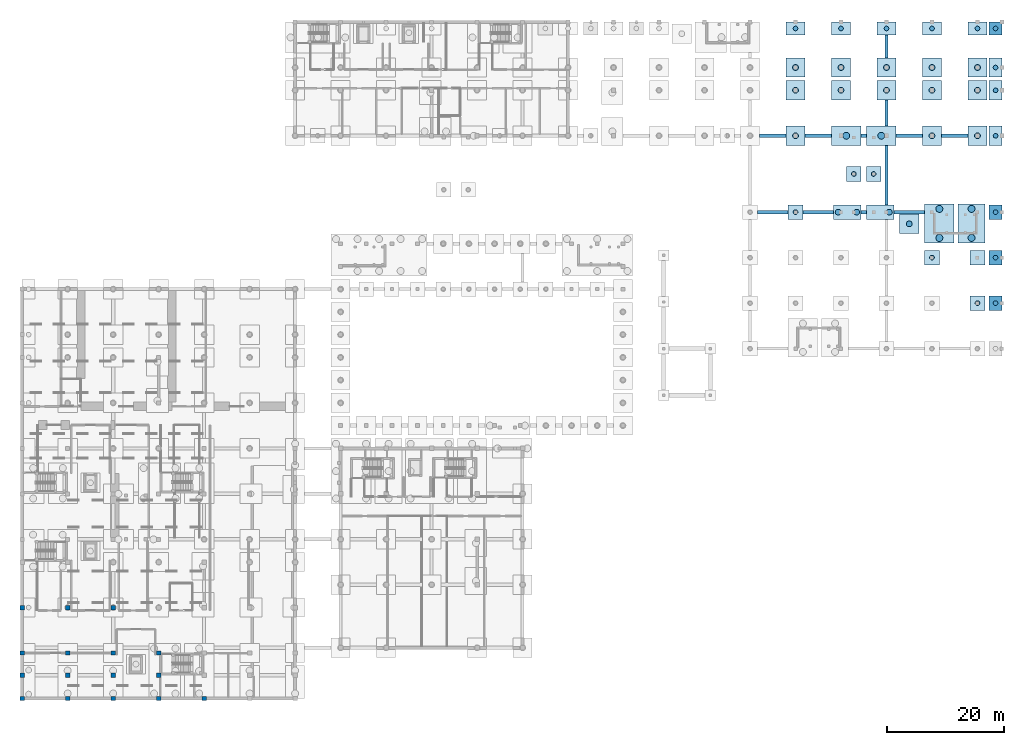
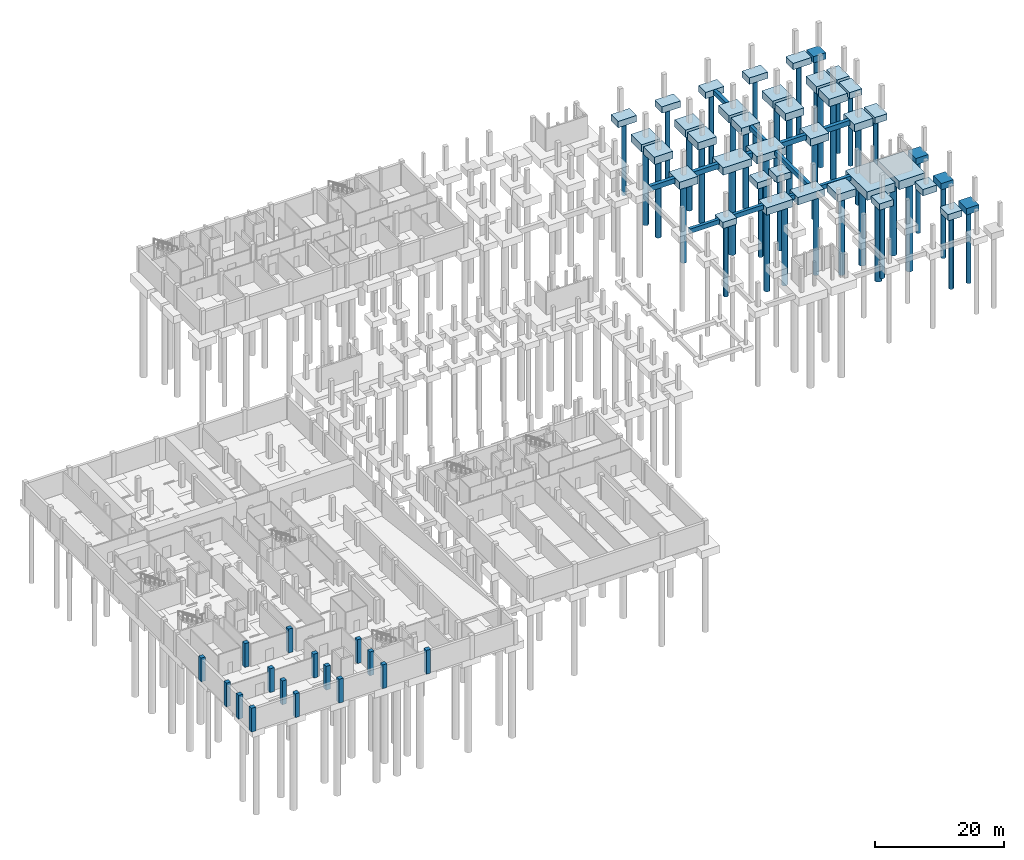
# One storey, part 5 of 24: 50 footings, 40 piles, 16 columns.
"""IFC4 building model written with IfcOpenShell, lengths in metres."""

from ifc_helpers import new_model, si_unit, direction, frame, origin, origin_2d, place, context, subcontext, project, spatial, rectangle, circle, extrude, material, material_profile, profile_set, type_object, element, save


model = new_model("IFC4")

# Units and contexts
model_context = context("Model", 3, precision=1e-05, world=origin(), true_north=direction((0.0, 1.0)))
body_context = subcontext(model_context, "Body", "Model", "MODEL_VIEW")
ifc_project = project(units=[si_unit("LENGTHUNIT", "METRE"), si_unit("AREAUNIT", "SQUARE_METRE"), si_unit("VOLUMEUNIT", "CUBIC_METRE"), si_unit("PLANEANGLEUNIT", "RADIAN"), si_unit("MASSUNIT", "GRAM", prefix="KILO")], contexts=[model_context])

# Site, building, storey
site_placement = place(None, origin())
site = spatial("IfcSite", under=ifc_project, at=site_placement, CompositionType="ELEMENT")
building_placement = place(site_placement, origin())
building = spatial("IfcBuilding", under=site, at=building_placement, Name="Celorna Specialist Clinic", CompositionType="ELEMENT")
storey_placement = place(building_placement, frame((0.0, 0.0, -4.5)))
storey = spatial("IfcBuildingStorey", under=building, at=storey_placement, Name="B01", CompositionType="ELEMENT", Elevation=-4.5)

# Footings
ifc_material_1 = material(Name="Concrete C35/45", Category="concrete")
footing_type_1 = type_object("IfcFootingType", Name="FB-01", PredefinedType="FOOTING_BEAM", material=ifc_material_1)
for number, where, z_axis, x_axis, name in (
    (1, (128.699951171875, 83.39990234375, -0.85009765625), (0.0, 0.0, 1.0), (1.0, 0.0, 0.0), "Foundation tie beam FB-01 #79"),
    (2, (136.5, 83.39990234375, -0.85009765625), (0.0, 0.0, 1.0), (1.0, 0.0, 0.0), "Foundation tie beam FB-01 #80"),
):
    element("IfcFooting", number, at=place(storey_placement, frame(where, z_axis=z_axis, x_axis=x_axis)), inside=storey, type_object=footing_type_1, Name=name, PredefinedType="FOOTING_BEAM", context=body_context, shape_type="SweptSolid", body=[
        extrude(rectangle(XDim=5.300048828125, YDim=0.550048828125, at=origin_2d()), origin(), (0.0, 0.0, 1.0), 0.85009765625),
    ])
footing_1_placement = place(storey_placement, frame((144.300048828125, 83.39990234375, -0.85009765625), z_axis=(0.0, 0.0, 1.0), x_axis=(1.0, 0.0, 0.0)))
element("IfcFooting", 3, at=footing_1_placement, inside=storey, type_object=footing_type_1, Name="Foundation tie beam FB-01 #81", PredefinedType="FOOTING_BEAM", context=body_context, shape_type="SweptSolid", body=[
    extrude(rectangle(XDim=0.89990234375, YDim=0.550048828125, at=origin_2d()), origin(), (0.0, 0.0, 1.0), 0.85009765625),
])
footing_2_placement = place(storey_placement, frame((152.10009765625, 83.39990234375, -0.85009765625), z_axis=(0.0, 0.0, 1.0), x_axis=(1.0, 0.0, 0.0)))
element("IfcFooting", 4, at=footing_2_placement, inside=storey, type_object=footing_type_1, Name="Foundation tie beam FB-01 #82", PredefinedType="FOOTING_BEAM", context=body_context, shape_type="SweptSolid", body=[
    extrude(rectangle(XDim=5.300048828125, YDim=0.550048828125, at=origin_2d()), origin(), (0.0, 0.0, 1.0), 0.85009765625),
])
footing_3_placement = place(storey_placement, frame((148.199951171875, 89.75, -0.85009765625), z_axis=(0.0, 0.0, 1.0), x_axis=(0.0, 1.0, 0.0)))
element("IfcFooting", 5, at=footing_3_placement, inside=storey, type_object=footing_type_1, Name="Foundation tie beam FB-01 #149", PredefinedType="FOOTING_BEAM", context=body_context, shape_type="SweptSolid", body=[
    extrude(rectangle(XDim=10.199951171875, YDim=0.550048828125, at=origin_2d()), origin(), (0.0, 0.0, 1.0), 0.85009765625),
])
footing_4_placement = place(storey_placement, frame((148.199951171875, 100.39990234375, -0.85009765625), z_axis=(0.0, 0.0, 1.0), x_axis=(0.0, 1.0, 0.0)))
element("IfcFooting", 6, at=footing_4_placement, inside=storey, type_object=footing_type_1, Name="Foundation tie beam FB-01 #150", PredefinedType="FOOTING_BEAM", context=body_context, shape_type="SweptSolid", body=[
    extrude(rectangle(XDim=4.5, YDim=0.550048828125, at=origin_2d()), origin(), (0.0, 0.0, 1.0), 0.85009765625),
])
footing_5_placement = place(storey_placement, frame((148.199951171875, 111.824951171875, -0.85009765625), z_axis=(0.0, 0.0, 1.0), x_axis=(0.0, 1.0, 0.0)))
element("IfcFooting", 7, at=footing_5_placement, inside=storey, type_object=footing_type_1, Name="Foundation tie beam FB-01 #151", PredefinedType="FOOTING_BEAM", context=body_context, shape_type="SweptSolid", body=[
    extrude(rectangle(XDim=3.949951171875, YDim=0.550048828125, at=origin_2d()), origin(), (0.0, 0.0, 1.0), 0.85009765625),
])
footing_type_2 = type_object("IfcFootingType", Name="FB-02", PredefinedType="FOOTING_BEAM", material=ifc_material_1)
for number, where, z_axis, x_axis, name in (
    (8, (128.699951171875, 96.5, -0.9501953125), (0.0, 0.0, 1.0), (1.0, 0.0, 0.0), "Foundation tie beam FB-02 #96"),
    (9, (136.5, 96.5, -0.9501953125), (0.0, 0.0, 1.0), (1.0, 0.0, 0.0), "Foundation tie beam FB-02 #97"),
):
    element("IfcFooting", number, at=place(storey_placement, frame(where, z_axis=z_axis, x_axis=x_axis)), inside=storey, type_object=footing_type_2, Name=name, PredefinedType="FOOTING_BEAM", context=body_context, shape_type="SweptSolid", body=[
        extrude(rectangle(XDim=4.5, YDim=0.64990234375, at=origin_2d()), origin(), (0.0, 0.0, 1.0), 0.949951171875),
    ])
footing_6_placement = place(storey_placement, frame((144.300048828125, 96.5, -0.9501953125), z_axis=(0.0, 0.0, 1.0), x_axis=(1.0, 0.0, 0.0)))
element("IfcFooting", 10, at=footing_6_placement, inside=storey, type_object=footing_type_2, Name="Foundation tie beam FB-02 #98", PredefinedType="FOOTING_BEAM", context=body_context, shape_type="SweptSolid", body=[
    extrude(rectangle(XDim=0.89990234375, YDim=0.64990234375, at=origin_2d()), origin(), (0.0, 0.0, 1.0), 0.949951171875),
])
for number, where, z_axis, x_axis, name in (
    (11, (152.10009765625, 96.5, -0.9501953125), (0.0, 0.0, 1.0), (1.0, 0.0, 0.0), "Foundation tie beam FB-02 #99"),
    (12, (159.89990234375, 96.5, -0.9501953125), (0.0, 0.0, 1.0), (1.0, 0.0, 0.0), "Foundation tie beam FB-02 #100"),
):
    element("IfcFooting", number, at=place(storey_placement, frame(where, z_axis=z_axis, x_axis=x_axis)), inside=storey, type_object=footing_type_2, Name=name, PredefinedType="FOOTING_BEAM", context=body_context, shape_type="SweptSolid", body=[
        extrude(rectangle(XDim=4.5, YDim=0.64990234375, at=origin_2d()), origin(), (0.0, 0.0, 1.0), 0.949951171875),
    ])

# Piles
ifc_material_profile_1 = material_profile(ifc_material_1, circle(Radius=0.39990234375, at=origin_2d()), Name="BORED PILE 800")
ifc_profile_set_1 = profile_set([ifc_material_profile_1], Name="Concrete C35/45")
pile_type_1 = type_object("IfcPileType", Name="P1", PredefinedType="BORED", material=ifc_profile_set_1)
for number, where, z_axis, x_axis, name in (
    (13, (132.60009765625, 114.89990234375, -1.10009765625), (0.0, 0.0, -1.0), (1.0, 0.0, 0.0), "Bored pile P1 #231"),
    (14, (132.60009765625, 83.39990234375, -1.10009765625), (0.0, 0.0, -1.0), (1.0, 0.0, 0.0), "Bored pile P1 #236"),
    (15, (140.39990234375, 114.89990234375, -1.10009765625), (0.0, 0.0, -1.0), (1.0, 0.0, 0.0), "Bored pile P1 #242"),
    (16, (142.60009765625, 89.949951171875, -1.10009765625), (0.0, 0.0, -1.0), (1.0, 0.0, 0.0), "Bored pile P1 #247"),
    (17, (146.0, 89.949951171875, -1.10009765625), (0.0, 0.0, -1.0), (1.0, 0.0, 0.0), "Bored pile P1 #249"),
    (18, (148.199951171875, 114.89990234375, -1.10009765625), (0.0, 0.0, -1.0), (1.0, 0.0, 0.0), "Bored pile P1 #253"),
    (19, (156.0, 114.89990234375, -1.10009765625), (0.0, 0.0, -1.0), (1.0, 0.0, 0.0), "Bored pile P1 #261"),
    (20, (156.0, 75.60009765625, -1.10009765625), (0.0, 0.0, -1.0), (1.0, 0.0, 0.0), "Bored pile P1 #264"),
    (21, (163.800048828125, 114.89990234375, -1.10009765625), (0.0, 0.0, -1.0), (1.0, 0.0, 0.0), "Bored pile P1 #272"),
    (22, (163.800048828125, 67.800048828125, -1.10009765625), (0.0, 0.0, -1.0), (1.0, 0.0, 0.0), "Bored pile P1 #274"),
    (23, (166.89990234375, 67.800048828125, -1.10009765625), (0.0, 0.0, -1.0), (1.0, 0.0, 0.0), "Bored pile P1 #276"),
    (24, (166.89990234375, 75.60009765625, -1.10009765625), (0.0, 0.0, -1.0), (1.0, 0.0, 0.0), "Bored pile P1 #277"),
    (25, (166.89990234375, 83.39990234375, -1.10009765625), (0.0, 0.0, -1.0), (1.0, 0.0, 0.0), "Bored pile P1 #278"),
    (26, (166.89990234375, 96.5, -1.10009765625), (0.0, 0.0, -1.0), (1.0, 0.0, 0.0), "Bored pile P1 #279"),
    (27, (166.89990234375, 104.300048828125, -1.10009765625), (0.0, 0.0, -1.0), (1.0, 0.0, 0.0), "Bored pile P1 #280"),
    (28, (166.89990234375, 108.199951171875, -1.10009765625), (0.0, 0.0, -1.0), (1.0, 0.0, 0.0), "Bored pile P1 #281"),
    (29, (166.89990234375, 114.89990234375, -1.10009765625), (0.0, 0.0, -1.0), (1.0, 0.0, 0.0), "Bored pile P1 #282"),
):
    element("IfcPile", number, at=place(storey_placement, frame(where, z_axis=z_axis, x_axis=x_axis)), inside=storey, type_object=pile_type_1, Name=name, PredefinedType="BORED", context=body_context, shape_type="SweptSolid", body=[
        extrude(circle(Radius=0.39990234375, at=origin_2d()), origin(), (0.0, 0.0, 1.0), 13.89990234375),
    ])
ifc_material_profile_2 = material_profile(ifc_material_1, circle(Radius=0.5, at=origin_2d()), Name="BORED PILE 1000")
ifc_profile_set_2 = profile_set([ifc_material_profile_2], Name="Concrete C35/45")
pile_type_2 = type_object("IfcPileType", Name="P2", PredefinedType="BORED", material=ifc_profile_set_2)
for number, where, z_axis, x_axis, name in (
    (30, (132.60009765625, 96.5, -1.300048828125), (0.0, 0.0, -1.0), (1.0, 0.0, 0.0), "Bored pile P2 #228"),
    (31, (132.60009765625, 104.300048828125, -1.300048828125), (0.0, 0.0, -1.0), (1.0, 0.0, 0.0), "Bored pile P2 #229"),
    (32, (132.60009765625, 108.199951171875, -1.300048828125), (0.0, 0.0, -1.0), (1.0, 0.0, 0.0), "Bored pile P2 #230"),
    (33, (140.39990234375, 104.300048828125, -1.300048828125), (0.0, 0.0, -1.0), (1.0, 0.0, 0.0), "Bored pile P2 #240"),
    (34, (140.39990234375, 108.199951171875, -1.300048828125), (0.0, 0.0, -1.0), (1.0, 0.0, 0.0), "Bored pile P2 #241"),
    (35, (139.909912109375, 83.39990234375, -1.300048828125), (0.0, 0.0, -1.0), (1.0, 0.0, 0.0), "Bored pile P2 #245"),
    (36, (143.090087890625, 83.39990234375, -1.300048828125), (0.0, 0.0, -1.0), (1.0, 0.0, 0.0), "Bored pile P2 #246"),
    (37, (148.68994140625, 83.39990234375, -1.300048828125), (0.0, 0.0, -1.0), (1.0, 0.0, 0.0), "Bored pile P2 #248"),
    (38, (148.199951171875, 104.300048828125, -1.300048828125), (0.0, 0.0, -1.0), (1.0, 0.0, 0.0), "Bored pile P2 #251"),
    (39, (148.199951171875, 108.199951171875, -1.300048828125), (0.0, 0.0, -1.0), (1.0, 0.0, 0.0), "Bored pile P2 #252"),
    (40, (152.10009765625, 81.39990234375, -1.300048828125), (0.0, 0.0, -1.0), (1.0, 0.0, 0.0), "Bored pile P2 #257"),
    (41, (156.0, 96.5, -1.300048828125), (0.0, 0.0, -1.0), (1.0, 0.0, 0.0), "Bored pile P2 #258"),
    (42, (156.0, 104.300048828125, -1.300048828125), (0.0, 0.0, -1.0), (1.0, 0.0, 0.0), "Bored pile P2 #259"),
    (43, (156.0, 108.199951171875, -1.300048828125), (0.0, 0.0, -1.0), (1.0, 0.0, 0.0), "Bored pile P2 #260"),
    (44, (163.800048828125, 96.5, -1.300048828125), (0.0, 0.0, -1.0), (1.0, 0.0, 0.0), "Bored pile P2 #269"),
    (45, (163.800048828125, 104.300048828125, -1.300048828125), (0.0, 0.0, -1.0), (1.0, 0.0, 0.0), "Bored pile P2 #270"),
    (46, (163.800048828125, 108.199951171875, -1.300048828125), (0.0, 0.0, -1.0), (1.0, 0.0, 0.0), "Bored pile P2 #271"),
):
    element("IfcPile", number, at=place(storey_placement, frame(where, z_axis=z_axis, x_axis=x_axis)), inside=storey, type_object=pile_type_2, Name=name, PredefinedType="BORED", context=body_context, shape_type="SweptSolid", body=[
        extrude(circle(Radius=0.5, at=origin_2d()), origin(), (0.0, 0.0, 1.0), 15.199951171875),
    ])
ifc_material_profile_3 = material_profile(ifc_material_1, circle(Radius=0.60009765625, at=origin_2d()), Name="BORED PILE 1200")
ifc_profile_set_3 = profile_set([ifc_material_profile_3], Name="Concrete C35/45")
pile_type_3 = type_object("IfcPileType", Name="P3", PredefinedType="BORED", material=ifc_profile_set_3)
for number, where, z_axis, x_axis, name in (
    (47, (141.300048828125, 96.5, -1.300048828125), (0.0, 0.0, -1.0), (1.0, 0.0, 0.0), "Bored pile P3 #239"),
    (48, (147.300048828125, 96.5, -1.300048828125), (0.0, 0.0, -1.0), (1.0, 0.0, 0.0), "Bored pile P3 #250"),
):
    element("IfcPile", number, at=place(storey_placement, frame(where, z_axis=z_axis, x_axis=x_axis)), inside=storey, type_object=pile_type_3, Name=name, PredefinedType="BORED", context=body_context, shape_type="SweptSolid", body=[
        extrude(circle(Radius=0.60009765625, at=origin_2d()), origin(), (0.0, 0.0, 1.0), 16.699951171875),
    ])
for number, where, z_axis, x_axis, name in (
    (49, (157.260009765625, 78.97998046875, -1.5), (0.0, 0.0, -1.0), (1.0, 0.0, 0.0), "Bored pile P3 #265"),
    (50, (157.260009765625, 83.9599609375, -1.5), (0.0, 0.0, -1.0), (1.0, 0.0, 0.0), "Bored pile P3 #266"),
    (51, (162.780029296875, 78.97998046875, -1.5), (0.0, 0.0, -1.0), (1.0, 0.0, 0.0), "Bored pile P3 #267"),
    (52, (162.780029296875, 83.9599609375, -1.5), (0.0, 0.0, -1.0), (1.0, 0.0, 0.0), "Bored pile P3 #268"),
):
    element("IfcPile", number, at=place(storey_placement, frame(where, z_axis=z_axis, x_axis=x_axis)), inside=storey, type_object=pile_type_3, Name=name, PredefinedType="BORED", context=body_context, shape_type="SweptSolid", body=[
        extrude(circle(Radius=0.60009765625, at=origin_2d()), origin(), (0.0, 0.0, 1.0), 16.5),
    ])

# Footings
footing_type_3 = type_object("IfcFootingType", Name="PC-02", PredefinedType="PILE_CAP", material=ifc_material_1)
for number, where, z_axis, x_axis, name in (
    (53, (132.60009765625, 114.89990234375, -1.2001953125), (0.0, 0.0, 1.0), (1.0, 0.0, 0.0), "Pile cap PC-02 #199"),
    (54, (140.39990234375, 114.89990234375, -1.2001953125), (0.0, 0.0, 1.0), (1.0, 0.0, 0.0), "Pile cap PC-02 #208"),
    (55, (148.199951171875, 114.89990234375, -1.2001953125), (0.0, 0.0, 1.0), (1.0, 0.0, 0.0), "Pile cap PC-02 #218"),
    (56, (156.0, 114.89990234375, -1.2001953125), (0.0, 0.0, 1.0), (1.0, 0.0, 0.0), "Pile cap PC-02 #226"),
    (57, (163.800048828125, 114.89990234375, -1.2001953125), (0.0, 0.0, 1.0), (1.0, 0.0, 0.0), "Pile cap PC-02 #235"),
):
    element("IfcFooting", number, at=place(storey_placement, frame(where, z_axis=z_axis, x_axis=x_axis)), inside=storey, type_object=footing_type_3, Name=name, PredefinedType="PILE_CAP", context=body_context, shape_type="SweptSolid", body=[
        extrude(rectangle(XDim=3.300048828125, YDim=2.199951171875, at=origin_2d()), origin(), (0.0, 0.0, 1.0), 1.199951171875),
    ])
for number, where, z_axis, x_axis, name in (
    (58, (166.89990234375, 96.5, -1.2001953125), (0.0, 0.0, 1.0), (1.0, 0.0, 0.0), "Pile cap PC-02 #243"),
    (59, (166.89990234375, 104.300048828125, -1.2001953125), (0.0, 0.0, 1.0), (1.0, 0.0, 0.0), "Pile cap PC-02 #244"),
    (60, (166.89990234375, 108.199951171875, -1.2001953125), (0.0, 0.0, 1.0), (1.0, 0.0, 0.0), "Pile cap PC-02 #245"),
):
    element("IfcFooting", number, at=place(storey_placement, frame(where, z_axis=z_axis, x_axis=x_axis)), inside=storey, type_object=footing_type_3, Name=name, PredefinedType="PILE_CAP", context=body_context, shape_type="SweptSolid", body=[
        extrude(rectangle(XDim=2.199951171875, YDim=3.300048828125, at=origin_2d()), origin(), (0.0, 0.0, 1.0), 1.199951171875),
    ])
footing_type_4 = type_object("IfcFootingType", Name="PC-08", PredefinedType="PILE_CAP", material=ifc_material_1)
for number, where, z_axis, x_axis, name in (
    (61, (132.60009765625, 96.5, -1.39990234375), (0.0, 0.0, 1.0), (1.0, 0.0, 0.0), "Pile cap PC-08 #196"),
    (62, (132.60009765625, 104.300048828125, -1.39990234375), (0.0, 0.0, 1.0), (1.0, 0.0, 0.0), "Pile cap PC-08 #197"),
    (63, (132.60009765625, 108.199951171875, -1.39990234375), (0.0, 0.0, 1.0), (1.0, 0.0, 0.0), "Pile cap PC-08 #198"),
    (64, (140.39990234375, 104.300048828125, -1.39990234375), (0.0, 0.0, 1.0), (1.0, 0.0, 0.0), "Pile cap PC-08 #206"),
    (65, (140.39990234375, 108.199951171875, -1.39990234375), (0.0, 0.0, 1.0), (1.0, 0.0, 0.0), "Pile cap PC-08 #207"),
    (66, (148.199951171875, 104.300048828125, -1.39990234375), (0.0, 0.0, 1.0), (1.0, 0.0, 0.0), "Pile cap PC-08 #216"),
    (67, (148.199951171875, 108.199951171875, -1.39990234375), (0.0, 0.0, 1.0), (1.0, 0.0, 0.0), "Pile cap PC-08 #217"),
    (68, (152.10009765625, 81.39990234375, -1.39990234375), (0.0, 0.0, 1.0), (1.0, 0.0, 0.0), "Pile cap PC-08 #222"),
    (69, (156.0, 96.5, -1.39990234375), (0.0, 0.0, 1.0), (1.0, 0.0, 0.0), "Pile cap PC-08 #223"),
    (70, (156.0, 104.300048828125, -1.39990234375), (0.0, 0.0, 1.0), (1.0, 0.0, 0.0), "Pile cap PC-08 #224"),
    (71, (156.0, 108.199951171875, -1.39990234375), (0.0, 0.0, 1.0), (1.0, 0.0, 0.0), "Pile cap PC-08 #225"),
    (72, (163.800048828125, 96.5, -1.39990234375), (0.0, 0.0, 1.0), (1.0, 0.0, 0.0), "Pile cap PC-08 #232"),
    (73, (163.800048828125, 104.300048828125, -1.39990234375), (0.0, 0.0, 1.0), (1.0, 0.0, 0.0), "Pile cap PC-08 #233"),
    (74, (163.800048828125, 108.199951171875, -1.39990234375), (0.0, 0.0, 1.0), (1.0, 0.0, 0.0), "Pile cap PC-08 #234"),
):
    element("IfcFooting", number, at=place(storey_placement, frame(where, z_axis=z_axis, x_axis=x_axis)), inside=storey, type_object=footing_type_4, Name=name, PredefinedType="PILE_CAP", context=body_context, shape_type="SweptSolid", body=[
        extrude(rectangle(XDim=3.300048828125, YDim=3.300048828125, at=origin_2d()), origin(), (0.0, 0.0, 1.0), 1.39990234375),
    ])
footing_type_5 = type_object("IfcFootingType", Name="PC-09", PredefinedType="PILE_CAP", material=ifc_material_1)
for number, where, z_axis, x_axis, name in (
    (75, (141.300048828125, 96.5, -1.39990234375), (0.0, 0.0, 1.0), (1.0, 0.0, 0.0), "Pile cap PC-09 #205"),
    (76, (147.300048828125, 96.5, -1.39990234375), (0.0, 0.0, 1.0), (1.0, 0.0, 0.0), "Pile cap PC-09 #215"),
):
    element("IfcFooting", number, at=place(storey_placement, frame(where, z_axis=z_axis, x_axis=x_axis)), inside=storey, type_object=footing_type_5, Name=name, PredefinedType="PILE_CAP", context=body_context, shape_type="SweptSolid", body=[
        extrude(rectangle(XDim=5.10009765625, YDim=3.300048828125, at=origin_2d()), origin(), (0.0, 0.0, 1.0), 1.39990234375),
    ])
footing_type_6 = type_object("IfcFootingType", Name="PC-21", PredefinedType="PILE_CAP", material=ifc_material_1)
for number, where, z_axis, x_axis, name in (
    (77, (132.60009765625, 83.39990234375, -1.2001953125), (0.0, 0.0, 1.0), (1.0, 0.0, 0.0), "Pile cap PC-21 #203"),
    (78, (142.60009765625, 89.949951171875, -1.2001953125), (0.0, 0.0, 1.0), (1.0, 0.0, 0.0), "Pile cap PC-21 #212"),
    (79, (146.0, 89.949951171875, -1.2001953125), (0.0, 0.0, 1.0), (1.0, 0.0, 0.0), "Pile cap PC-21 #214"),
    (80, (156.0, 75.60009765625, -1.2001953125), (0.0, 0.0, 1.0), (1.0, 0.0, 0.0), "Pile cap PC-21 #229"),
    (81, (163.800048828125, 67.800048828125, -1.2001953125), (0.0, 0.0, 1.0), (1.0, 0.0, 0.0), "Pile cap PC-21 #237"),
    (82, (163.800048828125, 75.60009765625, -1.2001953125), (0.0, 0.0, 1.0), (1.0, 0.0, 0.0), "Pile cap PC-21 #238"),
):
    element("IfcFooting", number, at=place(storey_placement, frame(where, z_axis=z_axis, x_axis=x_axis)), inside=storey, type_object=footing_type_6, Name=name, PredefinedType="PILE_CAP", context=body_context, shape_type="SweptSolid", body=[
        extrude(rectangle(XDim=2.5, YDim=2.5, at=origin_2d()), origin(), (0.0, 0.0, 1.0), 1.199951171875),
    ])
footing_type_7 = type_object("IfcFootingType", Name="PC-35", PredefinedType="PILE_CAP", material=ifc_material_1)
for number, where, z_axis, x_axis, name in (
    (83, (166.89990234375, 67.800048828125, -1.2001953125), (0.0, 0.0, 1.0), (1.0, 0.0, 0.0), "Pile cap PC-35 #240"),
    (84, (166.89990234375, 75.60009765625, -1.2001953125), (0.0, 0.0, 1.0), (1.0, 0.0, 0.0), "Pile cap PC-35 #241"),
    (85, (166.89990234375, 83.39990234375, -1.2001953125), (0.0, 0.0, 1.0), (1.0, 0.0, 0.0), "Pile cap PC-35 #242"),
):
    element("IfcFooting", number, at=place(storey_placement, frame(where, z_axis=z_axis, x_axis=x_axis)), inside=storey, type_object=footing_type_7, Name=name, PredefinedType="PILE_CAP", context=body_context, shape_type="SweptSolid", body=[
        extrude(rectangle(XDim=2.199951171875, YDim=2.5, at=origin_2d()), origin(), (0.0, 0.0, 1.0), 1.199951171875),
    ])
footing_type_8 = type_object("IfcFootingType", Name="PC-41", PredefinedType="PILE_CAP", material=ifc_material_1)
for number, where, z_axis, x_axis, name in (
    (86, (141.5, 83.39990234375, -1.39990234375), (0.0, 0.0, 1.0), (1.0, 0.0, 0.0), "Pile cap PC-41 #211"),
    (87, (147.10009765625, 83.39990234375, -1.39990234375), (0.0, 0.0, 1.0), (1.0, 0.0, 0.0), "Pile cap PC-41 #213"),
):
    element("IfcFooting", number, at=place(storey_placement, frame(where, z_axis=z_axis, x_axis=x_axis)), inside=storey, type_object=footing_type_8, Name=name, PredefinedType="PILE_CAP", context=body_context, shape_type="SweptSolid", body=[
        extrude(rectangle(XDim=4.699951171875, YDim=2.5, at=origin_2d()), origin(), (0.0, 0.0, 1.0), 1.39990234375),
    ])
footing_type_9 = type_object("IfcFootingType", Name="PC-42", PredefinedType="PILE_CAP", material=ifc_material_1)
footing_7_placement = place(storey_placement, frame((157.260009765625, 81.469970703125, -1.60009765625), z_axis=(0.0, 0.0, 1.0), x_axis=(1.0, 0.0, 0.0)))
element("IfcFooting", 88, at=footing_7_placement, inside=storey, type_object=footing_type_9, Name="Pile cap PC-42 #230", PredefinedType="PILE_CAP", context=body_context, shape_type="SweptSolid", body=[
    extrude(rectangle(XDim=5.02001953125, YDim=6.699951171875, at=origin_2d()), origin(), (0.0, 0.0, 1.0), 1.60009765625),
])
footing_type_10 = type_object("IfcFootingType", Name="PC-43", PredefinedType="PILE_CAP", material=ifc_material_1)
footing_8_placement = place(storey_placement, frame((162.780029296875, 81.469970703125, -1.60009765625), z_axis=(0.0, 0.0, 1.0), x_axis=(1.0, 0.0, 0.0)))
element("IfcFooting", 89, at=footing_8_placement, inside=storey, type_object=footing_type_10, Name="Pile cap PC-43 #231", PredefinedType="PILE_CAP", context=body_context, shape_type="SweptSolid", body=[
    extrude(rectangle(XDim=4.6201171875, YDim=6.699951171875, at=origin_2d()), origin(), (0.0, 0.0, 1.0), 1.60009765625),
])
footing_type_11 = type_object("IfcFootingType", Name="PC-44", PredefinedType="PILE_CAP", material=ifc_material_1)
footing_9_placement = place(storey_placement, frame((166.89990234375, 114.89990234375, -1.2001953125), z_axis=(0.0, 0.0, 1.0), x_axis=(1.0, 0.0, 0.0)))
element("IfcFooting", 90, at=footing_9_placement, inside=storey, type_object=footing_type_11, Name="Pile cap PC-44 #246", PredefinedType="PILE_CAP", context=body_context, shape_type="SweptSolid", body=[
    extrude(rectangle(XDim=2.199951171875, YDim=2.199951171875, at=origin_2d()), origin(), (0.0, 0.0, 1.0), 1.199951171875),
])

# Columns
ifc_material_2 = material(Name="Concrete C40/50", Category="concrete")
ifc_material_profile_4 = material_profile(ifc_material_2, rectangle(XDim=0.75, YDim=0.75, at=origin_2d()), Name="RC 750x750")
ifc_profile_set_4 = profile_set([ifc_material_profile_4], Name="Concrete C40/50")
column_type = type_object("IfcColumnType", Name="CT-01", PredefinedType="COLUMN", material=ifc_profile_set_4)
for number, where, z_axis, x_axis, name in (
    (91, (0.0, 0.0, 0.0), (0.0, 0.0, 1.0), (1.0, 0.0, 0.0), "Column CT-01 B01 X01/YA"),
    (92, (0.0, 4.0, 0.0), (0.0, 0.0, 1.0), (1.0, 0.0, 0.0), "Column CT-01 B01 X01/YA1"),
    (93, (0.0, 7.800048828125, 0.0), (0.0, 0.0, 1.0), (1.0, 0.0, 0.0), "Column CT-01 B01 X01/YC"),
    (94, (0.0, 15.60009765625, 0.0), (0.0, 0.0, 1.0), (1.0, 0.0, 0.0), "Column CT-01 B01 X01/YD"),
    (95, (7.800048828125, 0.0, 0.0), (0.0, 0.0, 1.0), (1.0, 0.0, 0.0), "Column CT-01 B01 X02/YA"),
    (96, (7.800048828125, 4.0, 0.0), (0.0, 0.0, 1.0), (1.0, 0.0, 0.0), "Column CT-01 B01 X02/YA1"),
    (97, (7.800048828125, 7.800048828125, 0.0), (0.0, 0.0, 1.0), (1.0, 0.0, 0.0), "Column CT-01 B01 X02/YC"),
    (98, (7.800048828125, 15.60009765625, 0.0), (0.0, 0.0, 1.0), (1.0, 0.0, 0.0), "Column CT-01 B01 X02/YD"),
    (99, (15.60009765625, 0.0, 0.0), (0.0, 0.0, 1.0), (1.0, 0.0, 0.0), "Column CT-01 B01 X03/YA"),
    (100, (15.60009765625, 4.0, 0.0), (0.0, 0.0, 1.0), (1.0, 0.0, 0.0), "Column CT-01 B01 X03/YA1"),
    (101, (15.60009765625, 7.800048828125, 0.0), (0.0, 0.0, 1.0), (1.0, 0.0, 0.0), "Column CT-01 B01 X03/YC"),
    (102, (15.60009765625, 15.60009765625, 0.0), (0.0, 0.0, 1.0), (1.0, 0.0, 0.0), "Column CT-01 B01 X03/YD"),
    (103, (23.39990234375, 0.0, 0.0), (0.0, 0.0, 1.0), (1.0, 0.0, 0.0), "Column CT-01 B01 X04/YA"),
    (104, (23.39990234375, 4.0, 0.0), (0.0, 0.0, 1.0), (1.0, 0.0, 0.0), "Column CT-01 B01 X04/YA1"),
    (105, (23.39990234375, 7.800048828125, 0.0), (0.0, 0.0, 1.0), (1.0, 0.0, 0.0), "Column CT-01 B01 X04/YC"),
    (106, (31.199951171875, 0.0, 0.0), (0.0, 0.0, 1.0), (1.0, 0.0, 0.0), "Column CT-01 B01 X05/YA"),
):
    element("IfcColumn", number, at=place(storey_placement, frame(where, z_axis=z_axis, x_axis=x_axis)), inside=storey, type_object=column_type, Name=name, PredefinedType="COLUMN", context=body_context, shape_type="SweptSolid", body=[
        extrude(rectangle(XDim=0.75, YDim=0.75, at=origin_2d()), origin(), (0.0, 0.0, 1.0), 4.5),
    ])

save(model, "model.ifc")
